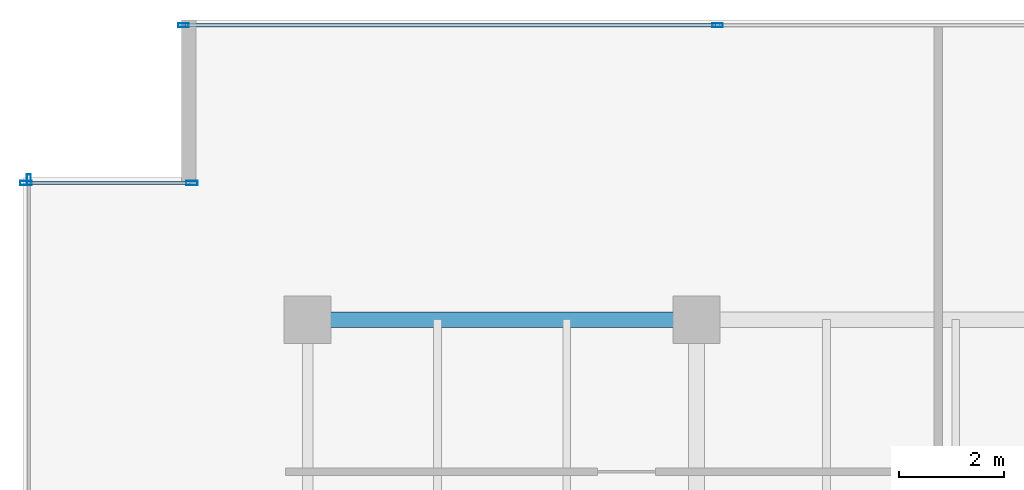
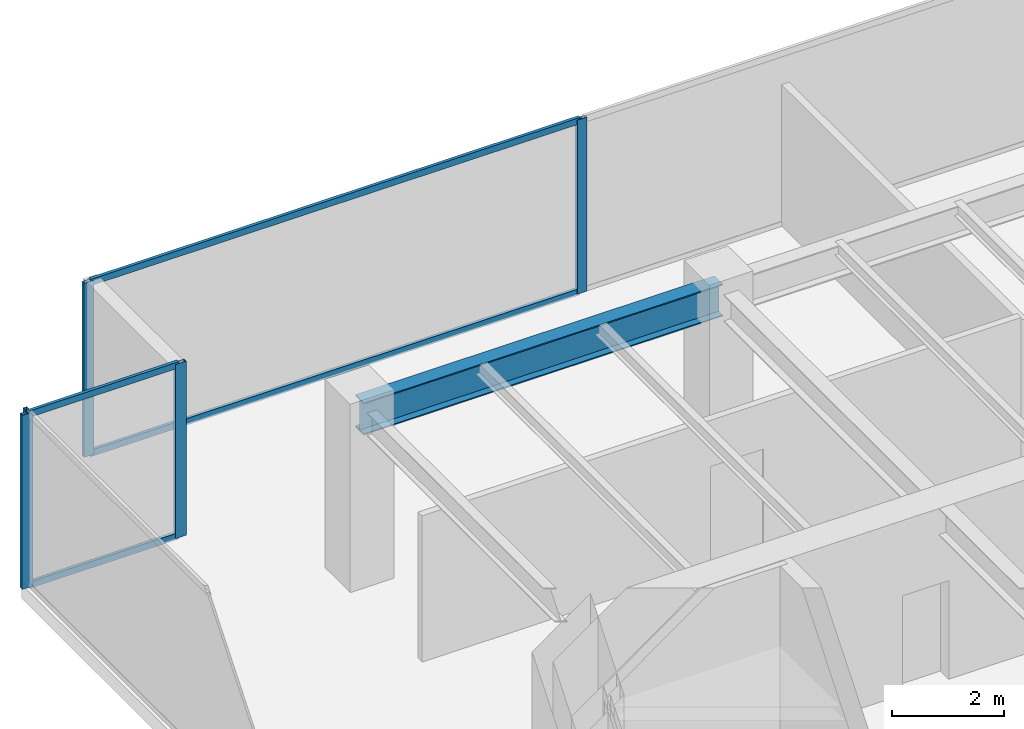
# One storey, part 14 of 30: 9 members, 1 beam, 3 elements without a shape of their own.
"""IFC4 building model written with IfcOpenShell, lengths in metres."""

import ifcopenshell
import ifcopenshell.guid

model = None  # the IFC model being written
_history = None  # IfcOwnerHistory: only IFC2X3 demands one
_inside = {}  # id of a spatial element -> (the spatial element, [elements in it])
_under = {}  # id of a project, library or spatial element -> (it, [spatial elements below it])
_declared = {}  # id of a project -> (the project, [libraries it declares])
_typed = {}  # id of a type object -> (the type object, [elements of that type])
_made_of = {}  # id of a material, layer set ... -> (it, [elements and type objects made of it])


def new_model(schema):
    """Start an empty IFC model of exactly this schema.

    Asked for "IFC4X3", IfcOpenShell would pick the latest addendum, in which some entities
    have other attributes; the version numbers below select the first issue.
    IFC2X3 requires an IfcOwnerHistory on every rooted entity: one is made here for all.
    """
    global model, _history
    if schema == "IFC4X3":
        model = ifcopenshell.file(schema_version=(4, 3, 0, 0))
    else:
        model = ifcopenshell.file(schema=schema)
    _inside.clear()
    _under.clear()
    _declared.clear()
    _typed.clear()
    _made_of.clear()
    _history = None
    if model.schema == "IFC2X3":
        org = make("IfcOrganization", Name="unknown")
        user = make(
            "IfcPersonAndOrganization",
            ThePerson=make("IfcPerson", FamilyName="unknown"),
            TheOrganization=org,
        )
        app = make(
            "IfcApplication",
            ApplicationDeveloper=org,
            Version="unknown",
            ApplicationFullName="unknown",
            ApplicationIdentifier="unknown",
        )
        _history = make(
            "IfcOwnerHistory",
            OwningUser=user,
            OwningApplication=app,
            ChangeAction="ADDED",
            CreationDate=0,
        )
    return model


def make(cls, **values):
    """One entity of the class cls with the attributes given. An attribute that is None is left unset."""
    return model.create_entity(
        cls, **{name: value for name, value in values.items() if value is not None}
    )


def rooted(cls, **values):
    """An entity with a GlobalId (a new one), such as an element, a storey or a relation."""
    return make(cls, GlobalId=ifcopenshell.guid.new(), OwnerHistory=_history, **values)


def si_unit(unit_type, name, prefix=None):
    """IfcSIUnit, for example si_unit("LENGTHUNIT", "METRE", prefix="MILLI")."""
    return make("IfcSIUnit", UnitType=unit_type, Prefix=prefix, Name=name)


def assignment(units):
    """IfcUnitAssignment: the units of a project."""
    return None if units is None else make("IfcUnitAssignment", Units=units)


def point(xyz):
    """IfcCartesianPoint."""
    return None if xyz is None else make("IfcCartesianPoint", Coordinates=xyz)


def direction(xyz):
    """IfcDirection."""
    return None if xyz is None else make("IfcDirection", DirectionRatios=xyz)


def frame(location, z_axis=None, x_axis=None):
    """IfcAxis2Placement3D, a coordinate frame: its origin and axes. An axis left out is left unset."""
    return make(
        "IfcAxis2Placement3D",
        Location=point(location),
        Axis=direction(z_axis),
        RefDirection=direction(x_axis),
    )


def frame_2d(location, x_axis=None):
    """IfcAxis2Placement2D, a coordinate frame in the plane: its origin and x axis."""
    return make(
        "IfcAxis2Placement2D", Location=point(location), RefDirection=direction(x_axis)
    )


def origin():
    """The frame at (0, 0, 0) with its axes left unset."""
    return frame((0.0, 0.0, 0.0))


def origin_2d():
    """The frame at (0, 0) in the plane with its x axis left unset."""
    return frame_2d((0.0, 0.0))


def place(relative_to, where):
    """IfcLocalPlacement: puts the frame where relative to a parent placement (None: the world)."""
    return make(
        "IfcLocalPlacement", PlacementRelTo=relative_to, RelativePlacement=where
    )


def context(
    kind, dimensions, precision=None, world=None, true_north=None, identifier=None
):
    """IfcGeometricRepresentationContext, for example the 3D "Model" context."""
    return make(
        "IfcGeometricRepresentationContext",
        ContextIdentifier=identifier,
        ContextType=kind,
        CoordinateSpaceDimension=dimensions,
        Precision=precision,
        WorldCoordinateSystem=world,
        TrueNorth=true_north,
    )


def subcontext(parent, identifier, kind, view, scale=None):
    """IfcGeometricRepresentationSubContext, for example "Body" below "Model"."""
    return make(
        "IfcGeometricRepresentationSubContext",
        ContextIdentifier=identifier,
        ContextType=kind,
        ParentContext=parent,
        TargetScale=scale,
        TargetView=view,
    )


def project(units=None, contexts=None):
    """IfcProject with its units and contexts."""
    return rooted(
        "IfcProject",
        Name="project",
        RepresentationContexts=contexts,
        UnitsInContext=assignment(units),
    )


def spatial(cls, under=None, at=None, **own):
    """A site, building, storey or space (cls), placed at a placement, below another one or the project."""
    s = rooted(cls, ObjectPlacement=at, **own)
    if under is not None:
        _under.setdefault(under.id(), (under, []))[1].append(s)
    return s


def profile(cls, at=None, kind="AREA", **sizes):
    """A parametric profile (cls). Its sizes go by their IFC names, for example OverallWidth=200.0."""
    return make(cls, ProfileType=kind, Position=at, **sizes)


def hollow_rectangle(**sizes):
    """IfcRectangleHollowProfileDef."""
    return profile("IfcRectangleHollowProfileDef", **sizes)


def i_section(**sizes):
    """IfcIShapeProfileDef."""
    return profile("IfcIShapeProfileDef", **sizes)


def extrude(swept, where, along, depth):
    """IfcExtrudedAreaSolid: the profile swept, set in the frame where, extruded along a direction by depth."""
    return make(
        "IfcExtrudedAreaSolid",
        SweptArea=swept,
        Position=where,
        ExtrudedDirection=direction(along),
        Depth=depth,
    )


def shape(context_of_items, identifier, shape_type, items):
    """IfcShapeRepresentation: the items that make up one representation, for example the "Body"."""
    return make(
        "IfcShapeRepresentation",
        ContextOfItems=context_of_items,
        RepresentationIdentifier=identifier,
        RepresentationType=shape_type,
        Items=items,
    )


def source(mapping_origin, context_of_items, identifier, shape_type, items):
    """IfcRepresentationMap: a shape defined once, which mapped items show again and again."""
    return make(
        "IfcRepresentationMap",
        MappingOrigin=mapping_origin,
        MappedRepresentation=shape(context_of_items, identifier, shape_type, items),
    )


def transform(
    local_origin,
    x_axis=None,
    y_axis=None,
    z_axis=None,
    scale=None,
    scale2=None,
    scale3=None,
    uniform=True,
):
    """IfcCartesianTransformationOperator3D, or its non-uniform kind. x_axis, y_axis, z_axis: its Axis1, 2, 3."""
    if uniform:
        return make(
            "IfcCartesianTransformationOperator3D",
            Axis1=direction(x_axis),
            Axis2=direction(y_axis),
            LocalOrigin=point(local_origin),
            Scale=scale,
            Axis3=direction(z_axis),
        )
    return make(
        "IfcCartesianTransformationOperator3DnonUniform",
        Axis1=direction(x_axis),
        Axis2=direction(y_axis),
        LocalOrigin=point(local_origin),
        Scale=scale,
        Axis3=direction(z_axis),
        Scale2=scale2,
        Scale3=scale3,
    )


def mapped(mapping_source, mapping_target):
    """IfcMappedItem: shows the shape of a source again, moved by a transform."""
    return make(
        "IfcMappedItem", MappingSource=mapping_source, MappingTarget=mapping_target
    )


def material(Name=None, Category=None):
    """IfcMaterial."""
    return make("IfcMaterial", Name=Name, Category=Category)


def layer(
    of_material, thickness, ventilated=None, Name=None, Category=None, Priority=None
):
    """IfcMaterialLayer: one layer of a wall or slab, of a material (None: an air gap)."""
    return make(
        "IfcMaterialLayer",
        Material=of_material,
        LayerThickness=thickness,
        IsVentilated=ventilated,
        Name=Name,
        Category=Category,
        Priority=Priority,
    )


def layer_set(layers, Name=None):
    """IfcMaterialLayerSet."""
    return make("IfcMaterialLayerSet", MaterialLayers=layers, LayerSetName=Name)


def material_profile(
    of_material, cross_section, Name=None, Category=None, Priority=None
):
    """IfcMaterialProfile: a cross section and its material."""
    return make(
        "IfcMaterialProfile",
        Name=Name,
        Material=of_material,
        Profile=cross_section,
        Priority=Priority,
        Category=Category,
    )


def profile_set(profiles, Name=None, composite=None):
    """IfcMaterialProfileSet."""
    return make(
        "IfcMaterialProfileSet",
        Name=Name,
        MaterialProfiles=profiles,
        CompositeProfile=composite,
    )


def made_of(thing, what):
    """Note that an element or type object is made of a material, layer set ...; save() writes the relation."""
    if what is not None:
        _made_of.setdefault(what.id(), (what, []))[1].append(thing)
    return thing


def type_object(cls, material=None, **own):
    """A type object (cls), such as IfcWallType, which elements share."""
    return made_of(rooted(cls, **own), material)


def type_shapes(of_type, sources):
    """Give a type object the sources (RepresentationMaps) that its elements show as mapped items."""
    of_type.RepresentationMaps = sources


def element(
    cls,
    number,
    at=None,
    inside=None,
    cuts=None,
    type_object=None,
    material=None,
    context=None,
    identifier="Body",
    shape_type=None,
    held_by="IfcProductDefinitionShape",
    body=None,
    shapes=None,
    **own,
):
    """One element of the class cls, such as IfcWall. Its Tag is "e" and its number.

    at: its placement. inside: the storey or other place that contains it. cuts: it is an
    opening in that element (IfcRelVoidsElement). A single representation is given by context,
    identifier, shape_type and body (its items); several are given by shapes. held_by: the class
    of the entity that holds the representations. save() writes the other relations.
    """
    e = rooted(cls, Tag="e%d" % number, ObjectPlacement=at, **own)
    if body is not None:
        shapes = [shape(context, identifier, shape_type, body)]
    if shapes is not None:
        e.Representation = make(held_by, Representations=shapes)
    if inside is not None:
        _inside.setdefault(inside.id(), (inside, []))[1].append(e)
    if cuts is not None:
        rooted(
            "IfcRelVoidsElement", RelatingBuildingElement=cuts, RelatedOpeningElement=e
        )
    if type_object is not None:
        _typed.setdefault(type_object.id(), (type_object, []))[1].append(e)
    return made_of(e, material)


def aggregate(whole, parts):
    """IfcRelAggregates: a whole, such as a stair, and the parts it consists of."""
    return rooted("IfcRelAggregates", RelatingObject=whole, RelatedObjects=parts)


def save(model, path):
    """Write the relations noted so far, then the file.

    IfcRelAggregates (storeys below a building ...), IfcRelContainedInSpatialStructure (elements
    in a storey), IfcRelDefinesByType, IfcRelAssociatesMaterial and IfcRelDeclares: one each for
    every whole, place, type object, material and project.
    """
    for whole, parts in _under.values():
        aggregate(whole, parts)
    for where, things in _inside.values():
        rooted(
            "IfcRelContainedInSpatialStructure",
            RelatedElements=things,
            RelatingStructure=where,
        )
    for kind, things in _typed.values():
        rooted("IfcRelDefinesByType", RelatedObjects=things, RelatingType=kind)
    for what, things in _made_of.values():
        rooted("IfcRelAssociatesMaterial", RelatedObjects=things, RelatingMaterial=what)
    for by, libraries in _declared.values():
        rooted("IfcRelDeclares", RelatingContext=by, RelatedDefinitions=libraries)
    model.write(path)


model = new_model("IFC4")

# Units and contexts
model_context = context("Model", 3, precision=1e-05, world=origin(), true_north=direction((0.0, 1.0)))
body_context = subcontext(model_context, "Body", "Model", "MODEL_VIEW")
ifc_project = project(units=[si_unit("LENGTHUNIT", "METRE"), si_unit("AREAUNIT", "SQUARE_METRE"), si_unit("VOLUMEUNIT", "CUBIC_METRE"), si_unit("PLANEANGLEUNIT", "RADIAN"), si_unit("MASSUNIT", "GRAM", prefix="KILO")], contexts=[model_context])

# Site, building, storey
site_placement = place(None, origin())
site = spatial("IfcSite", under=ifc_project, at=site_placement, CompositionType="ELEMENT")
building_placement = place(site_placement, origin())
building = spatial("IfcBuilding", under=site, at=building_placement, Name="Haelvirn Gate Laboratories", CompositionType="ELEMENT")
storey_placement = place(building_placement, frame((0.0, 0.0, 162.5)))
storey = spatial("IfcBuildingStorey", under=building, at=storey_placement, Name="L39", CompositionType="ELEMENT", Elevation=162.5)

# Beam
ifc_material_1 = material(Name="Steel SM355", Category="steel")
ifc_material_profile_1 = material_profile(ifc_material_1, i_section(OverallWidth=0.300048828125, OverallDepth=0.699951171875, WebThickness=0.012939453125, FlangeThickness=0.02392578125, at=origin_2d()), Name="H-700x300x13x24")
ifc_profile_set_1 = profile_set([ifc_material_profile_1], Name="Steel SM355")
beam_type = type_object("IfcBeamType", Name="BM-G-700", PredefinedType="BEAM", material=ifc_profile_set_1)
shared_shape_1 = source(origin(), body_context, "Body", "SweptSolid", [
    extrude(i_section(OverallWidth=0.300048828125, OverallDepth=0.699951171875, WebThickness=0.012939453125, FlangeThickness=0.02392578125, at=origin_2d()), origin(), (0.0, 0.0, 1.0), 7.400146484375),
])
type_shapes(beam_type, [shared_shape_1])
beam_placement = place(storey_placement, frame((7.39990234375, 41.60009765625, 3.43994140625), z_axis=(1.0, 0.0, 0.0), x_axis=(0.0, 1.0, 0.0)))
element("IfcBeam", 1, at=beam_placement, inside=storey, type_object=beam_type, Name="L39 Primary Girder Y41.6 (7.4-14.8)", PredefinedType="BEAM", context=body_context, shape_type="MappedRepresentation", body=[
    mapped(shared_shape_1, transform((0.0, 0.0, 0.0), scale=1.0)),
])

# Curtain wall, members
ifc_material_2 = material(Name="Anodised bronze unitised aluminium & triple low-E glass", Category="aluminium")
ifc_layer_1 = layer(ifc_material_2, 0.179931640625, Name="CW-SYS-3")
ifc_layer_set_1 = layer_set([ifc_layer_1], Name="Anodised bronze unitised aluminium & triple low-E glass")
curtain_wall_type_1 = type_object("IfcCurtainWallType", Name="CW-SYS-3", PredefinedType="NOTDEFINED", material=ifc_layer_set_1)
curtain_wall_1_placement = place(storey_placement, origin())
curtain_wall_1 = element("IfcCurtainWall", 2, at=curtain_wall_1_placement, inside=storey, type_object=curtain_wall_type_1, Name="L39 Unitised Curtain Wall CW-L39-P0-E14-1", PredefinedType="NOTDEFINED")
ifc_material_3 = material(Name="Extruded aluminium 6063-T6 (anodised bronze)", Category="aluminium")
ifc_material_profile_2 = material_profile(ifc_material_3, hollow_rectangle(XDim=0.06494140625, YDim=0.139892578125, WallThickness=0.00390625, at=origin_2d()), Name="CWT-140x65x4")
ifc_profile_set_2 = profile_set([ifc_material_profile_2], Name="Extruded aluminium 6063-T6 (anodised bronze)")
member_type_1 = type_object("IfcMemberType", Name="CWT-T140", PredefinedType="USERDEFINED", material=ifc_profile_set_2)
shared_shape_2 = source(origin(), body_context, "Body", "SweptSolid", [
    extrude(hollow_rectangle(XDim=0.06494140625, YDim=0.139892578125, WallThickness=0.00390625, at=origin_2d()), origin(), (0.0, 0.0, 1.0), 10.087646484375),
])
member_1_placement = place(storey_placement, frame((5.074951171875, 47.199951171875, 0.032470703125), z_axis=(1.0, 0.0, 0.0), x_axis=(0.0, 1.0, 0.0)))
member_1 = element("IfcMember", 3, at=member_1_placement, type_object=member_type_1, Name="CW3 transom 1.1", ObjectType="TRANSOM", PredefinedType="USERDEFINED", context=body_context, shape_type="MappedRepresentation", body=[
    mapped(shared_shape_2, transform((0.0, 0.0, 0.0), scale=1.0)),
])
member_2_placement = place(storey_placement, frame((5.074951171875, 47.199951171875, 3.757568359375), z_axis=(1.0, 0.0, 0.0), x_axis=(0.0, 1.0, 0.0)))
member_2 = element("IfcMember", 4, at=member_2_placement, type_object=member_type_1, Name="CW3 transom 1.2", ObjectType="TRANSOM", PredefinedType="USERDEFINED", context=body_context, shape_type="MappedRepresentation", body=[
    mapped(shared_shape_2, transform((0.0, 0.0, 0.0), scale=1.0)),
])

ifc_layer_2 = layer(ifc_material_2, 0.181884765625, Name="CW-SYS-5")
ifc_layer_set_2 = layer_set([ifc_layer_2], Name="Anodised bronze unitised aluminium & triple low-E glass")
curtain_wall_type_2 = type_object("IfcCurtainWallType", Name="CW-SYS-5", PredefinedType="NOTDEFINED", material=ifc_layer_set_2)
curtain_wall_2_placement = place(storey_placement, origin())
curtain_wall_2 = element("IfcCurtainWall", 5, at=curtain_wall_2_placement, inside=storey, type_object=curtain_wall_type_2, Name="L39 Unitised Curtain Wall CW-L39-P0-E16-1", PredefinedType="NOTDEFINED")
shared_shape_3 = source(origin(), body_context, "Body", "SweptSolid", [
    extrude(hollow_rectangle(XDim=0.06494140625, YDim=0.139892578125, WallThickness=0.00390625, at=origin_2d()), origin(), (0.0, 0.0, 1.0), 3.079833984375),
])
type_shapes(member_type_1, [shared_shape_2, shared_shape_3])
member_3_placement = place(storey_placement, frame((2.080078125, 44.199951171875, 0.032470703125), z_axis=(1.0, 0.0, 0.0), x_axis=(0.0, 1.0, 0.0)))
member_3 = element("IfcMember", 6, at=member_3_placement, type_object=member_type_1, Name="CW5 transom 1.1", ObjectType="TRANSOM", PredefinedType="USERDEFINED", context=body_context, shape_type="MappedRepresentation", body=[
    mapped(shared_shape_3, transform((0.0, 0.0, 0.0), scale=1.0)),
])
member_4_placement = place(storey_placement, frame((2.080078125, 44.199951171875, 3.757568359375), z_axis=(1.0, 0.0, 0.0), x_axis=(0.0, 1.0, 0.0)))
member_4 = element("IfcMember", 7, at=member_4_placement, type_object=member_type_1, Name="CW5 transom 1.2", ObjectType="TRANSOM", PredefinedType="USERDEFINED", context=body_context, shape_type="MappedRepresentation", body=[
    mapped(shared_shape_3, transform((0.0, 0.0, 0.0), scale=1.0)),
])

# Member
ifc_material_profile_3 = material_profile(ifc_material_3, hollow_rectangle(XDim=0.074951171875, YDim=0.199951171875, WallThickness=0.0048828125, at=origin_2d()), Name="CWM-200x75x5")
ifc_profile_set_3 = profile_set([ifc_material_profile_3], Name="Extruded aluminium 6063-T6 (anodised bronze)")
member_type_2 = type_object("IfcMemberType", Name="CWM-T200", PredefinedType="MULLION", material=ifc_profile_set_3)
shared_shape_4 = source(origin(), body_context, "Body", "SweptSolid", [
    extrude(hollow_rectangle(XDim=0.074951171875, YDim=0.199951171875, WallThickness=0.0048828125, at=origin_2d()), origin(), (0.0, 0.0, 1.0), 3.7900390625),
])
type_shapes(member_type_2, [shared_shape_4])
member_5_placement = place(storey_placement, frame((5.03759765625, 47.199951171875, 0.0), z_axis=(0.0, 0.0, 1.0), x_axis=(0.0, 1.0, 0.0)))
member_5 = element("IfcMember", 8, at=member_5_placement, type_object=member_type_2, Name="CW3 mullion 1", PredefinedType="MULLION", context=body_context, shape_type="MappedRepresentation", body=[
    mapped(shared_shape_4, transform((0.0, 0.0, 0.0), scale=1.0)),
])

member_6_placement = place(storey_placement, frame((15.199951171875, 47.199951171875, 0.0), z_axis=(0.0, 0.0, 1.0), x_axis=(0.0, 1.0, 0.0)))
member_6 = element("IfcMember", 9, at=member_6_placement, type_object=member_type_2, Name="CW3 mullion 2", PredefinedType="MULLION", context=body_context, shape_type="MappedRepresentation", body=[
    mapped(shared_shape_4, transform((0.0, 0.0, 0.0), scale=1.0)),
])

aggregate(curtain_wall_1, [member_5, member_6, member_1, member_2])

# Curtain wall, member
curtain_wall_3_placement = place(storey_placement, origin())
curtain_wall_3 = element("IfcCurtainWall", 10, at=curtain_wall_3_placement, inside=storey, type_object=curtain_wall_type_1, Name="L39 Unitised Curtain Wall CW-L39-P0-E17", PredefinedType="NOTDEFINED")
member_7_placement = place(storey_placement, frame((2.10009765625, 44.262451171875, 0.0), z_axis=(0.0, 0.0, 1.0), x_axis=(1.0, 0.0, 0.0)))
member_7 = element("IfcMember", 11, at=member_7_placement, type_object=member_type_2, Name="CW3 mullion 1", PredefinedType="MULLION", context=body_context, shape_type="MappedRepresentation", body=[
    mapped(shared_shape_4, transform((0.0, 0.0, 0.0), scale=1.0)),
])
aggregate(curtain_wall_3, [member_7])

# Member
ifc_material_profile_4 = material_profile(ifc_material_3, hollow_rectangle(XDim=0.080078125, YDim=0.219970703125, WallThickness=0.006103515625, at=origin_2d()), Name="CWM-220x80x6")
ifc_profile_set_4 = profile_set([ifc_material_profile_4], Name="Extruded aluminium 6063-T6 (anodised bronze)")
member_type_3 = type_object("IfcMemberType", Name="CWM-T220", PredefinedType="MULLION", material=ifc_profile_set_4)
shared_shape_5 = source(origin(), body_context, "Body", "SweptSolid", [
    extrude(hollow_rectangle(XDim=0.080078125, YDim=0.219970703125, WallThickness=0.006103515625, at=origin_2d()), origin(), (0.0, 0.0, 1.0), 3.7900390625),
])
type_shapes(member_type_3, [shared_shape_5])
member_8_placement = place(storey_placement, frame((2.0400390625, 44.199951171875, 0.0), z_axis=(0.0, 0.0, 1.0), x_axis=(0.0, 1.0, 0.0)))
member_8 = element("IfcMember", 12, at=member_8_placement, type_object=member_type_3, Name="CW5 mullion 1", PredefinedType="MULLION", context=body_context, shape_type="MappedRepresentation", body=[
    mapped(shared_shape_5, transform((0.0, 0.0, 0.0), scale=1.0)),
])

member_9_placement = place(storey_placement, frame((5.199951171875, 44.199951171875, 0.0), z_axis=(0.0, 0.0, 1.0), x_axis=(0.0, 1.0, 0.0)))
member_9 = element("IfcMember", 13, at=member_9_placement, type_object=member_type_3, Name="CW5 mullion 2", PredefinedType="MULLION", context=body_context, shape_type="MappedRepresentation", body=[
    mapped(shared_shape_5, transform((0.0, 0.0, 0.0), scale=1.0)),
])

aggregate(curtain_wall_2, [member_8, member_9, member_3, member_4])

save(model, "model.ifc")
